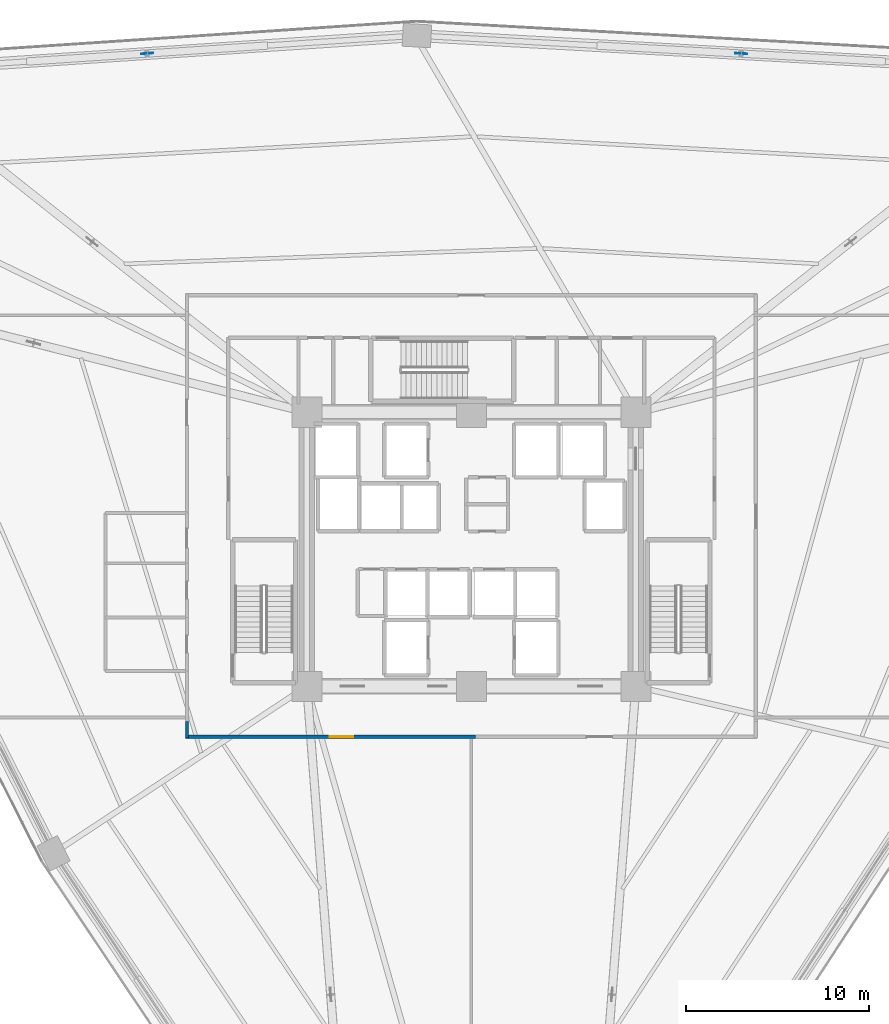
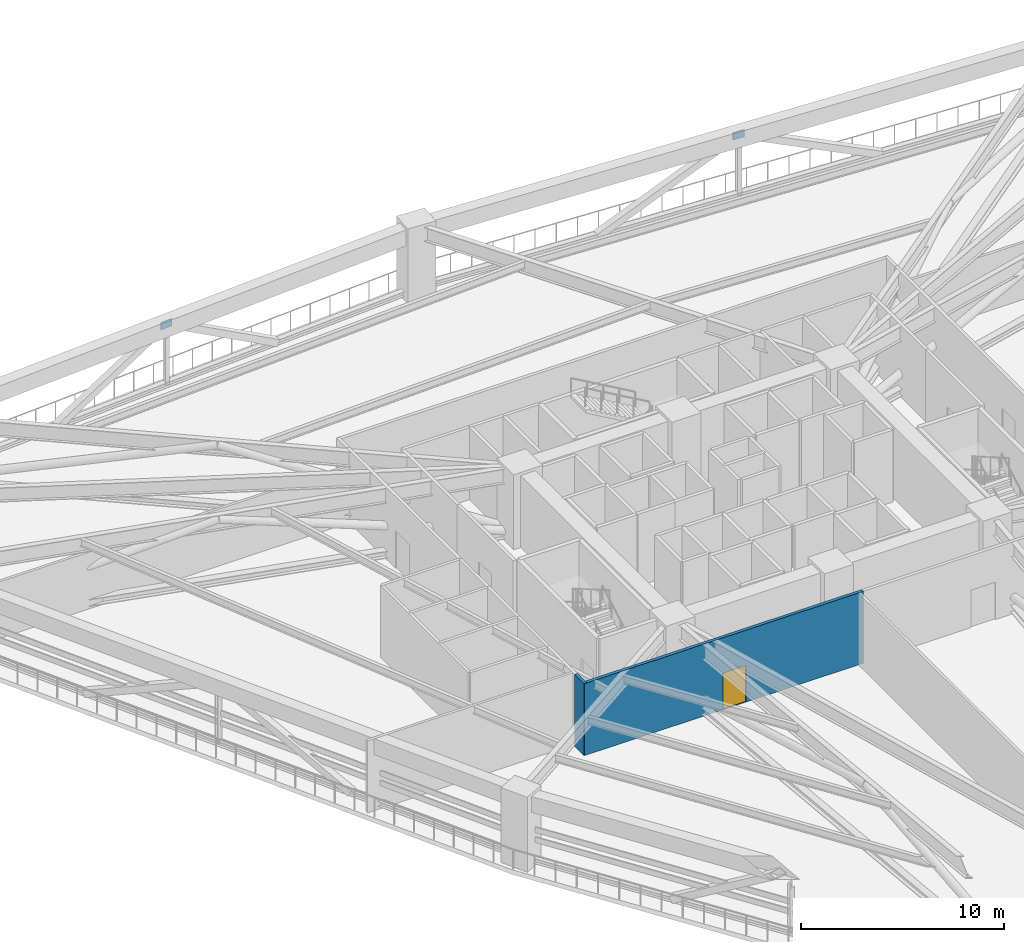
# One storey, part 16 of 25: 2 plates, 2 walls, 1 door, 1 opening.
"""IFC4 building model written with IfcOpenShell, lengths in metres."""

from ifc_helpers import new_model, si_unit, direction, frame, frame_2d, origin, origin_2d, place, context, subcontext, project, spatial, rectangle, extrude, source, transform, mapped, material, layer, layer_set, type_object, element, fill, save


model = new_model("IFC4")

# Units and contexts
model_context = context("Model", 3, precision=1e-05, world=origin(), true_north=direction((0.0, 1.0)))
body_context = subcontext(model_context, "Body", "Model", "MODEL_VIEW")
ifc_project = project(units=[si_unit("LENGTHUNIT", "METRE"), si_unit("AREAUNIT", "SQUARE_METRE"), si_unit("VOLUMEUNIT", "CUBIC_METRE"), si_unit("PLANEANGLEUNIT", "RADIAN"), si_unit("MASSUNIT", "GRAM", prefix="KILO")], contexts=[model_context])

# Site, building, storey
site_placement = place(None, origin())
site = spatial("IfcSite", under=ifc_project, at=site_placement, CompositionType="ELEMENT")
building_placement = place(site_placement, origin())
building = spatial("IfcBuilding", under=site, at=building_placement, Name="Liaohun Quay Tower", CompositionType="ELEMENT")
storey_placement = place(building_placement, frame((0.0, 0.0, 47.25)))
storey = spatial("IfcBuildingStorey", under=building, at=storey_placement, Name="L12", CompositionType="ELEMENT", Elevation=47.25)

# Plates
ifc_material_1 = material(Name="Steel Q420D outrigger node gusset plate", Category="steel")
ifc_layer_1 = layer(ifc_material_1, 0.0400390625, Name="Steel Q420D outrigger node gusset plate", Category="steel")
ifc_layer_set_1 = layer_set([ifc_layer_1], Name="Steel Q420D outrigger node gusset plate")
plate_type = type_object("IfcPlateType", Name="PLT-GUS-OUT", PredefinedType="USERDEFINED", material=ifc_layer_set_1)
shared_shape_1 = source(origin(), body_context, "Body", "SweptSolid", [
    extrude(rectangle(XDim=0.64990234375, YDim=0.035888671875, at=origin_2d()), origin(), (0.0, 0.0, 1.0), 0.449951171875),
])
for number, where, z_axis, x_axis, name in (
    (1, (42.260986328125, 81.12890625, 3.69482421875), (0.0, 0.0, 1.0), (0.997789886117, 0.066448048599, 0.0), "L12 Belt Truss Node Gusset Plate GP1-B03"),
    (2, (74.761962890625, 81.1259765625, 3.69482421875), (0.0, 0.0, 1.0), (0.998460188734, -0.055472980025, 0.0), "L12 Belt Truss Node Gusset Plate GP1-B04"),
):
    element("IfcPlate", number, at=place(storey_placement, frame(where, z_axis=z_axis, x_axis=x_axis)), inside=storey, type_object=plate_type, Name=name, ObjectType="GUSSET PLATE", PredefinedType="USERDEFINED", context=body_context, shape_type="MappedRepresentation", body=[
        mapped(shared_shape_1, transform((0.0, 0.0, 0.0), x_axis=(1.0, 0.0, 0.0), y_axis=(0.0, 1.0, 0.0), z_axis=(0.0, 0.0, 1.0), scale=1.0)),
    ])

# Wall, opening, door
ifc_material_2 = material(Name="Autoclaved aerated concrete blockwork", Category="masonry")
ifc_layer_2 = layer(ifc_material_2, 0.179931640625, Name="Autoclaved aerated concrete blockwork", Category="masonry")
ifc_layer_set_2 = layer_set([ifc_layer_2], Name="Autoclaved aerated concrete blockwork")
wall_type = type_object("IfcWallType", Name="WAL-PRT-COR", PredefinedType="PARTITIONING", material=ifc_layer_set_2)
wall_1_placement = place(storey_placement, frame((60.215087890625, 43.739990234375, 0.0), z_axis=(0.0, 0.0, 1.0), x_axis=(-1.0, 0.0, 0.0)))
wall_1 = element("IfcWall", 3, at=wall_1_placement, inside=storey, type_object=wall_type, Name="L12 Interior Partition Wall 017", PredefinedType="PARTITIONING", context=body_context, shape_type="SweptSolid", body=[
    extrude(rectangle(XDim=15.844970703125, YDim=0.179931640625, at=frame_2d((7.92236328125, 0.0))), origin(), (0.0, 0.0, 1.0), 4.320068359375),
])
shared_shape_2 = source(origin(), body_context, "Body", "SweptSolid", [
    extrude(rectangle(XDim=1.300048828125, YDim=2.199951171875, at=frame_2d((0.64990234375, 1.10009765625))), frame((0.0, 0.099853515625, 0.0), z_axis=(0.0, -1.0, 0.0), x_axis=(1.0, 0.0, 0.0)), (0.0, 0.0, 1.0), 0.199951171875),
])
opening_placement = place(wall_1_placement, frame((6.673095703125, 0.0, 0.0)))
opening = element("IfcOpeningElement", 4, at=opening_placement, cuts=wall_1, Name="Opening FD1", PredefinedType="OPENING", context=body_context, shape_type="MappedRepresentation", body=[
    mapped(shared_shape_2, transform((0.0, 0.0, 0.0), x_axis=(1.0, 0.0, 0.0), y_axis=(0.0, 1.0, 0.0), z_axis=(0.0, 0.0, 1.0), scale=1.0)),
])
ifc_material_3 = material(Name="Galvanised steel smokeproof fire door", Category="steel")
door_type = type_object("IfcDoorType", Name="DOR-FFL-1300", OperationType="NOTDEFINED", PredefinedType="DOOR", material=ifc_material_3)
shared_shape_3 = source(origin(), body_context, "Body", "SweptSolid", [
    extrude(rectangle(XDim=1.300048828125, YDim=2.199951171875, at=frame_2d((0.64990234375, 1.10009765625))), frame((0.0, 0.02490234375, 0.0), z_axis=(0.0, -1.0, 0.0), x_axis=(1.0, 0.0, 0.0)), (0.0, 0.0, 1.0), 0.050048828125),
])
door_placement = place(opening_placement, origin())
door = element("IfcDoor", 5, at=door_placement, inside=storey, type_object=door_type, Name="L12 North Open-Air Refuge Staging Area Door", OperationType="SINGLE_SWING_RIGHT", OverallHeight=2.199951171875, OverallWidth=1.300048828125, PredefinedType="DOOR", context=body_context, shape_type="MappedRepresentation", body=[
    mapped(shared_shape_3, transform((0.0, 0.0, 0.0), x_axis=(1.0, 0.0, 0.0), y_axis=(0.0, 1.0, 0.0), z_axis=(0.0, 0.0, 1.0), scale=1.0)),
])
fill(opening, door)

# Wall
wall_2_placement = place(storey_placement, frame((44.43994140625, 43.669921875, 0.0), z_axis=(0.0, 0.0, 1.0), x_axis=(0.0, 1.0, 0.0)))
element("IfcWall", 6, at=wall_2_placement, inside=storey, type_object=wall_type, Name="L12 Interior Partition Wall 041", PredefinedType="PARTITIONING", context=body_context, shape_type="SweptSolid", body=[
    extrude(rectangle(XDim=0.9150390625, YDim=0.179931640625, at=frame_2d((0.45751953125, 0.0))), origin(), (0.0, 0.0, 1.0), 4.320068359375),
])

save(model, "model.ifc")
